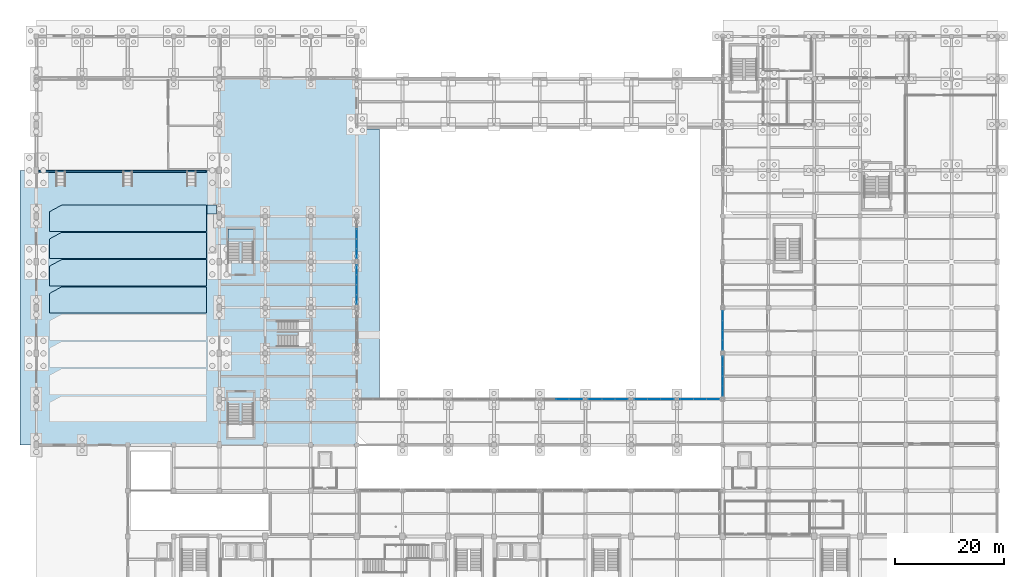
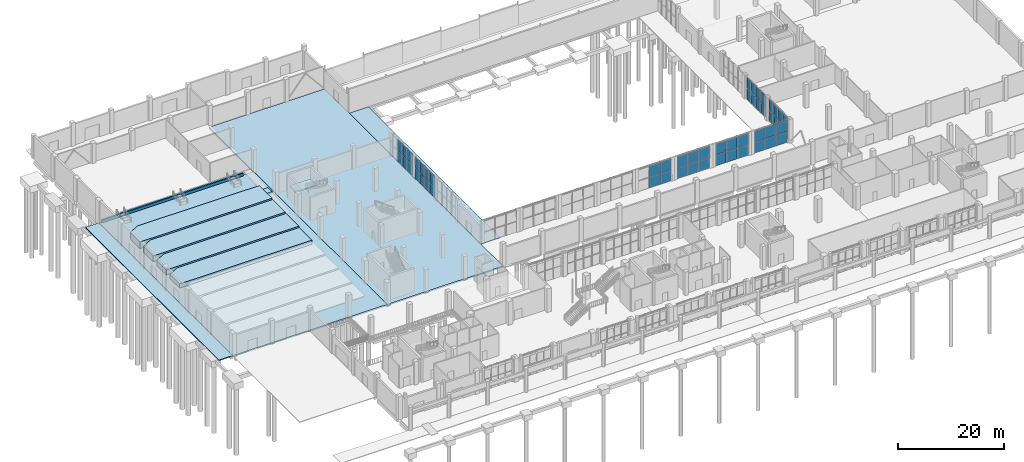
# One storey, part 57 of 82: 52 plates, 11 slabs, 10 elements without a shape of their own.
"""IFC4 building model written with IfcOpenShell, lengths in metres."""

from ifc_helpers import new_model, si_unit, derived_unit, direction, frame, origin, origin_2d, place, context, subcontext, project, spatial, polyline, rectangle, outline, extrude, material, layer, layer_set, type_object, element, aggregate, save


model = new_model("IFC4")

# Units and contexts
model_context = context("Model", 3, precision=1e-05, world=origin(), true_north=direction((0.0, 1.0)))
body_context = subcontext(model_context, "Body", "Model", "MODEL_VIEW")
ifc_project = project(units=[si_unit("LENGTHUNIT", "METRE"), si_unit("AREAUNIT", "SQUARE_METRE"), si_unit("VOLUMEUNIT", "CUBIC_METRE"), si_unit("PLANEANGLEUNIT", "RADIAN"), si_unit("MASSUNIT", "GRAM", prefix="KILO"), derived_unit("THERMALTRANSMITTANCEUNIT", [(si_unit("POWERUNIT", "WATT"), 1), (si_unit("LENGTHUNIT", "METRE"), -2), (si_unit("THERMODYNAMICTEMPERATUREUNIT", "KELVIN"), -1)])], contexts=[model_context])

# Site, building, storey
site_placement = place(None, origin())
site = spatial("IfcSite", under=ifc_project, at=site_placement, CompositionType="ELEMENT")
building_placement = place(site_placement, origin())
building = spatial("IfcBuilding", under=site, at=building_placement, Name="Barrovel Congress Hotel", CompositionType="ELEMENT")
storey_placement = place(building_placement, origin())
storey = spatial("IfcBuildingStorey", under=building, at=storey_placement, Name="L00", CompositionType="ELEMENT", Elevation=0.0)

# Curtain wall, plates
ifc_material_1 = material(Name="Anodised Aluminium Alloy 6063-T6", Category="aluminium")
curtain_wall_type_1 = type_object("IfcCurtainWallType", Name="CW-ST-7200x3600", PredefinedType="USERDEFINED", material=ifc_material_1)
curtain_wall_1_placement = place(storey_placement, origin())
curtain_wall_1 = element("IfcCurtainWall", 1, at=curtain_wall_1_placement, inside=storey, type_object=curtain_wall_type_1, Name="CW:L00:CW:63.0", ObjectType="STICK CURTAIN WALL", PredefinedType="USERDEFINED")
ifc_material_2 = material(Name="Double Low-E Insulated Glazing", Category="glass")
ifc_layer_1 = layer(ifc_material_2, 0.028076171875)
ifc_layer_set_1 = layer_set([ifc_layer_1], Name="Double Low-E Insulated Glazing")
plate_type_1 = type_object("IfcPlateType", Name="CWP-28", PredefinedType="CURTAIN_PANEL", material=ifc_layer_set_1)
plate_1_placement = place(storey_placement, frame((58.800048828125, 64.5, 0.030029296875), z_axis=(0.0, 0.0, 1.0), x_axis=(0.0, 1.0, 0.0)))
plate_1 = element("IfcPlate", 2, at=plate_1_placement, type_object=plate_type_1, Name="CW:L00:CW:63.0:P0-0", PredefinedType="CURTAIN_PANEL", context=body_context, shape_type="SweptSolid", body=[
    extrude(rectangle(XDim=1.739990234375, YDim=0.028076171875, at=origin_2d()), origin(), (0.0, 0.0, 1.0), 2.5),
])
plate_2_placement = place(storey_placement, frame((58.800048828125, 64.5, 2.590087890625), z_axis=(0.0, 0.0, 1.0), x_axis=(0.0, 1.0, 0.0)))
plate_2 = element("IfcPlate", 3, at=plate_2_placement, type_object=plate_type_1, Name="CW:L00:CW:63.0:P0-1", PredefinedType="CURTAIN_PANEL", context=body_context, shape_type="SweptSolid", body=[
    extrude(rectangle(XDim=1.739990234375, YDim=0.028076171875, at=origin_2d()), origin(), (0.0, 0.0, 1.0), 2.5),
])
plate_3_placement = place(storey_placement, frame((58.800048828125, 66.300048828125, 0.030029296875), z_axis=(0.0, 0.0, 1.0), x_axis=(0.0, 1.0, 0.0)))
plate_3 = element("IfcPlate", 4, at=plate_3_placement, type_object=plate_type_1, Name="CW:L00:CW:63.0:P1-0", PredefinedType="CURTAIN_PANEL", context=body_context, shape_type="SweptSolid", body=[
    extrude(rectangle(XDim=1.739990234375, YDim=0.028076171875, at=origin_2d()), origin(), (0.0, 0.0, 1.0), 2.5),
])
plate_4_placement = place(storey_placement, frame((58.800048828125, 66.300048828125, 2.590087890625), z_axis=(0.0, 0.0, 1.0), x_axis=(0.0, 1.0, 0.0)))
plate_4 = element("IfcPlate", 5, at=plate_4_placement, type_object=plate_type_1, Name="CW:L00:CW:63.0:P1-1", PredefinedType="CURTAIN_PANEL", context=body_context, shape_type="SweptSolid", body=[
    extrude(rectangle(XDim=1.739990234375, YDim=0.028076171875, at=origin_2d()), origin(), (0.0, 0.0, 1.0), 2.5),
])
plate_5_placement = place(storey_placement, frame((58.800048828125, 68.10009765625, 0.030029296875), z_axis=(0.0, 0.0, 1.0), x_axis=(0.0, 1.0, 0.0)))
plate_5 = element("IfcPlate", 6, at=plate_5_placement, type_object=plate_type_1, Name="CW:L00:CW:63.0:P2-0", PredefinedType="CURTAIN_PANEL", context=body_context, shape_type="SweptSolid", body=[
    extrude(rectangle(XDim=1.739990234375, YDim=0.028076171875, at=origin_2d()), origin(), (0.0, 0.0, 1.0), 2.5),
])
plate_6_placement = place(storey_placement, frame((58.800048828125, 68.10009765625, 2.590087890625), z_axis=(0.0, 0.0, 1.0), x_axis=(0.0, 1.0, 0.0)))
plate_6 = element("IfcPlate", 7, at=plate_6_placement, type_object=plate_type_1, Name="CW:L00:CW:63.0:P2-1", PredefinedType="CURTAIN_PANEL", context=body_context, shape_type="SweptSolid", body=[
    extrude(rectangle(XDim=1.739990234375, YDim=0.028076171875, at=origin_2d()), origin(), (0.0, 0.0, 1.0), 2.5),
])
plate_7_placement = place(storey_placement, frame((58.800048828125, 69.89990234375, 0.030029296875), z_axis=(0.0, 0.0, 1.0), x_axis=(0.0, 1.0, 0.0)))
plate_7 = element("IfcPlate", 8, at=plate_7_placement, type_object=plate_type_1, Name="CW:L00:CW:63.0:P3-0", PredefinedType="CURTAIN_PANEL", context=body_context, shape_type="SweptSolid", body=[
    extrude(rectangle(XDim=1.739990234375, YDim=0.028076171875, at=origin_2d()), origin(), (0.0, 0.0, 1.0), 2.5),
])
plate_8_placement = place(storey_placement, frame((58.800048828125, 69.89990234375, 2.590087890625), z_axis=(0.0, 0.0, 1.0), x_axis=(0.0, 1.0, 0.0)))
plate_8 = element("IfcPlate", 9, at=plate_8_placement, type_object=plate_type_1, Name="CW:L00:CW:63.0:P3-1", PredefinedType="CURTAIN_PANEL", context=body_context, shape_type="SweptSolid", body=[
    extrude(rectangle(XDim=1.739990234375, YDim=0.028076171875, at=origin_2d()), origin(), (0.0, 0.0, 1.0), 2.5),
])
aggregate(curtain_wall_1, [plate_1, plate_2, plate_3, plate_4, plate_5, plate_6, plate_7, plate_8])

curtain_wall_2_placement = place(storey_placement, origin())
curtain_wall_2 = element("IfcCurtainWall", 10, at=curtain_wall_2_placement, inside=storey, type_object=curtain_wall_type_1, Name="CW:L00:CE:46.2", ObjectType="STICK CURTAIN WALL", PredefinedType="USERDEFINED")
plate_9_placement = place(storey_placement, frame((126.0, 53.10009765625, 0.030029296875), z_axis=(0.0, 0.0, 1.0), x_axis=(0.0, -1.0, 0.0)))
plate_9 = element("IfcPlate", 11, at=plate_9_placement, type_object=plate_type_1, Name="CW:L00:CE:46.2:P0-0", PredefinedType="CURTAIN_PANEL", context=body_context, shape_type="SweptSolid", body=[
    extrude(rectangle(XDim=1.739990234375, YDim=0.028076171875, at=origin_2d()), origin(), (0.0, 0.0, 1.0), 2.5),
])
plate_10_placement = place(storey_placement, frame((126.0, 53.10009765625, 2.590087890625), z_axis=(0.0, 0.0, 1.0), x_axis=(0.0, -1.0, 0.0)))
plate_10 = element("IfcPlate", 12, at=plate_10_placement, type_object=plate_type_1, Name="CW:L00:CE:46.2:P0-1", PredefinedType="CURTAIN_PANEL", context=body_context, shape_type="SweptSolid", body=[
    extrude(rectangle(XDim=1.739990234375, YDim=0.028076171875, at=origin_2d()), origin(), (0.0, 0.0, 1.0), 2.5),
])
plate_11_placement = place(storey_placement, frame((126.0, 51.300048828125, 0.030029296875), z_axis=(0.0, 0.0, 1.0), x_axis=(0.0, -1.0, 0.0)))
plate_11 = element("IfcPlate", 13, at=plate_11_placement, type_object=plate_type_1, Name="CW:L00:CE:46.2:P1-0", PredefinedType="CURTAIN_PANEL", context=body_context, shape_type="SweptSolid", body=[
    extrude(rectangle(XDim=1.739990234375, YDim=0.028076171875, at=origin_2d()), origin(), (0.0, 0.0, 1.0), 2.5),
])
plate_12_placement = place(storey_placement, frame((126.0, 51.300048828125, 2.590087890625), z_axis=(0.0, 0.0, 1.0), x_axis=(0.0, -1.0, 0.0)))
plate_12 = element("IfcPlate", 14, at=plate_12_placement, type_object=plate_type_1, Name="CW:L00:CE:46.2:P1-1", PredefinedType="CURTAIN_PANEL", context=body_context, shape_type="SweptSolid", body=[
    extrude(rectangle(XDim=1.739990234375, YDim=0.028076171875, at=origin_2d()), origin(), (0.0, 0.0, 1.0), 2.5),
])
plate_13_placement = place(storey_placement, frame((126.0, 49.5, 0.030029296875), z_axis=(0.0, 0.0, 1.0), x_axis=(0.0, -1.0, 0.0)))
plate_13 = element("IfcPlate", 15, at=plate_13_placement, type_object=plate_type_1, Name="CW:L00:CE:46.2:P2-0", PredefinedType="CURTAIN_PANEL", context=body_context, shape_type="SweptSolid", body=[
    extrude(rectangle(XDim=1.739990234375, YDim=0.028076171875, at=origin_2d()), origin(), (0.0, 0.0, 1.0), 2.5),
])
plate_14_placement = place(storey_placement, frame((126.0, 49.5, 2.590087890625), z_axis=(0.0, 0.0, 1.0), x_axis=(0.0, -1.0, 0.0)))
plate_14 = element("IfcPlate", 16, at=plate_14_placement, type_object=plate_type_1, Name="CW:L00:CE:46.2:P2-1", PredefinedType="CURTAIN_PANEL", context=body_context, shape_type="SweptSolid", body=[
    extrude(rectangle(XDim=1.739990234375, YDim=0.028076171875, at=origin_2d()), origin(), (0.0, 0.0, 1.0), 2.5),
])
plate_15_placement = place(storey_placement, frame((126.0, 47.699951171875, 0.030029296875), z_axis=(0.0, 0.0, 1.0), x_axis=(0.0, -1.0, 0.0)))
plate_15 = element("IfcPlate", 17, at=plate_15_placement, type_object=plate_type_1, Name="CW:L00:CE:46.2:P3-0", PredefinedType="CURTAIN_PANEL", context=body_context, shape_type="SweptSolid", body=[
    extrude(rectangle(XDim=1.739990234375, YDim=0.028076171875, at=origin_2d()), origin(), (0.0, 0.0, 1.0), 2.5),
])
plate_16_placement = place(storey_placement, frame((126.0, 47.699951171875, 2.590087890625), z_axis=(0.0, 0.0, 1.0), x_axis=(0.0, -1.0, 0.0)))
plate_16 = element("IfcPlate", 18, at=plate_16_placement, type_object=plate_type_1, Name="CW:L00:CE:46.2:P3-1", PredefinedType="CURTAIN_PANEL", context=body_context, shape_type="SweptSolid", body=[
    extrude(rectangle(XDim=1.739990234375, YDim=0.028076171875, at=origin_2d()), origin(), (0.0, 0.0, 1.0), 2.5),
])
aggregate(curtain_wall_2, [plate_9, plate_10, plate_11, plate_12, plate_13, plate_14, plate_15, plate_16])

curtain_wall_type_2 = type_object("IfcCurtainWallType", Name="CW-ST-6400x4200", PredefinedType="USERDEFINED", material=ifc_material_1)
curtain_wall_3_placement = place(storey_placement, origin())
curtain_wall_3 = element("IfcCurtainWall", 19, at=curtain_wall_3_placement, inside=storey, type_object=curtain_wall_type_2, Name="CW:L00:CL:11", ObjectType="STICK CURTAIN WALL", PredefinedType="USERDEFINED")
plate_17_placement = place(storey_placement, frame((99.0, 46.199951171875, 0.030029296875), z_axis=(0.0, 0.0, 1.0), x_axis=(-1.0, 0.0, 0.0)))
plate_17 = element("IfcPlate", 20, at=plate_17_placement, type_object=plate_type_1, Name="CW:L00:CL:11:P0-0", PredefinedType="CURTAIN_PANEL", context=body_context, shape_type="SweptSolid", body=[
    extrude(rectangle(XDim=2.340087890625, YDim=0.028076171875, at=origin_2d()), origin(), (0.0, 0.0, 1.0), 2.5),
])
plate_18_placement = place(storey_placement, frame((99.0, 46.199951171875, 2.590087890625), z_axis=(0.0, 0.0, 1.0), x_axis=(-1.0, 0.0, 0.0)))
plate_18 = element("IfcPlate", 21, at=plate_18_placement, type_object=plate_type_1, Name="CW:L00:CL:11:P0-1", PredefinedType="CURTAIN_PANEL", context=body_context, shape_type="SweptSolid", body=[
    extrude(rectangle(XDim=2.340087890625, YDim=0.028076171875, at=origin_2d()), origin(), (0.0, 0.0, 1.0), 2.5),
])
plate_19_placement = place(storey_placement, frame((96.60009765625, 46.199951171875, 0.030029296875), z_axis=(0.0, 0.0, 1.0), x_axis=(-1.0, 0.0, 0.0)))
plate_19 = element("IfcPlate", 22, at=plate_19_placement, type_object=plate_type_1, Name="CW:L00:CL:11:P1-0", PredefinedType="CURTAIN_PANEL", context=body_context, shape_type="SweptSolid", body=[
    extrude(rectangle(XDim=2.340087890625, YDim=0.028076171875, at=origin_2d()), origin(), (0.0, 0.0, 1.0), 2.5),
])
plate_20_placement = place(storey_placement, frame((96.60009765625, 46.199951171875, 2.590087890625), z_axis=(0.0, 0.0, 1.0), x_axis=(-1.0, 0.0, 0.0)))
plate_20 = element("IfcPlate", 23, at=plate_20_placement, type_object=plate_type_1, Name="CW:L00:CL:11:P1-1", PredefinedType="CURTAIN_PANEL", context=body_context, shape_type="SweptSolid", body=[
    extrude(rectangle(XDim=2.340087890625, YDim=0.028076171875, at=origin_2d()), origin(), (0.0, 0.0, 1.0), 2.5),
])
aggregate(curtain_wall_3, [plate_17, plate_18, plate_19, plate_20])

curtain_wall_4_placement = place(storey_placement, origin())
curtain_wall_4 = element("IfcCurtainWall", 24, at=curtain_wall_4_placement, inside=storey, type_object=curtain_wall_type_2, Name="CW:L00:CL:13", ObjectType="STICK CURTAIN WALL", PredefinedType="USERDEFINED")
plate_21_placement = place(storey_placement, frame((115.800048828125, 46.199951171875, 0.030029296875), z_axis=(0.0, 0.0, 1.0), x_axis=(-1.0, 0.0, 0.0)))
plate_21 = element("IfcPlate", 25, at=plate_21_placement, type_object=plate_type_1, Name="CW:L00:CL:13:P0-0", PredefinedType="CURTAIN_PANEL", context=body_context, shape_type="SweptSolid", body=[
    extrude(rectangle(XDim=2.340087890625, YDim=0.028076171875, at=origin_2d()), origin(), (0.0, 0.0, 1.0), 2.5),
])
plate_22_placement = place(storey_placement, frame((115.800048828125, 46.199951171875, 2.590087890625), z_axis=(0.0, 0.0, 1.0), x_axis=(-1.0, 0.0, 0.0)))
plate_22 = element("IfcPlate", 26, at=plate_22_placement, type_object=plate_type_1, Name="CW:L00:CL:13:P0-1", PredefinedType="CURTAIN_PANEL", context=body_context, shape_type="SweptSolid", body=[
    extrude(rectangle(XDim=2.340087890625, YDim=0.028076171875, at=origin_2d()), origin(), (0.0, 0.0, 1.0), 2.5),
])
plate_23_placement = place(storey_placement, frame((113.39990234375, 46.199951171875, 0.030029296875), z_axis=(0.0, 0.0, 1.0), x_axis=(-1.0, 0.0, 0.0)))
plate_23 = element("IfcPlate", 27, at=plate_23_placement, type_object=plate_type_1, Name="CW:L00:CL:13:P1-0", PredefinedType="CURTAIN_PANEL", context=body_context, shape_type="SweptSolid", body=[
    extrude(rectangle(XDim=2.340087890625, YDim=0.028076171875, at=origin_2d()), origin(), (0.0, 0.0, 1.0), 2.5),
])
plate_24_placement = place(storey_placement, frame((113.39990234375, 46.199951171875, 2.590087890625), z_axis=(0.0, 0.0, 1.0), x_axis=(-1.0, 0.0, 0.0)))
plate_24 = element("IfcPlate", 28, at=plate_24_placement, type_object=plate_type_1, Name="CW:L00:CL:13:P1-1", PredefinedType="CURTAIN_PANEL", context=body_context, shape_type="SweptSolid", body=[
    extrude(rectangle(XDim=2.340087890625, YDim=0.028076171875, at=origin_2d()), origin(), (0.0, 0.0, 1.0), 2.5),
])
plate_25_placement = place(storey_placement, frame((111.0, 46.199951171875, 0.030029296875), z_axis=(0.0, 0.0, 1.0), x_axis=(-1.0, 0.0, 0.0)))
plate_25 = element("IfcPlate", 29, at=plate_25_placement, type_object=plate_type_1, Name="CW:L00:CL:13:P2-0", PredefinedType="CURTAIN_PANEL", context=body_context, shape_type="SweptSolid", body=[
    extrude(rectangle(XDim=2.340087890625, YDim=0.028076171875, at=origin_2d()), origin(), (0.0, 0.0, 1.0), 2.5),
])
plate_26_placement = place(storey_placement, frame((111.0, 46.199951171875, 2.590087890625), z_axis=(0.0, 0.0, 1.0), x_axis=(-1.0, 0.0, 0.0)))
plate_26 = element("IfcPlate", 30, at=plate_26_placement, type_object=plate_type_1, Name="CW:L00:CL:13:P2-1", PredefinedType="CURTAIN_PANEL", context=body_context, shape_type="SweptSolid", body=[
    extrude(rectangle(XDim=2.340087890625, YDim=0.028076171875, at=origin_2d()), origin(), (0.0, 0.0, 1.0), 2.5),
])
aggregate(curtain_wall_4, [plate_21, plate_22, plate_23, plate_24, plate_25, plate_26])

curtain_wall_5_placement = place(storey_placement, origin())
curtain_wall_5 = element("IfcCurtainWall", 31, at=curtain_wall_5_placement, inside=storey, type_object=curtain_wall_type_1, Name="CW:L00:CW:71.4", ObjectType="STICK CURTAIN WALL", PredefinedType="USERDEFINED")
ifc_layer_2 = layer(ifc_material_2, 0.031982421875)
ifc_layer_set_2 = layer_set([ifc_layer_2], Name="Double Low-E Insulated Glazing")
plate_type_2 = type_object("IfcPlateType", Name="CWP-32", PredefinedType="CURTAIN_PANEL", material=ifc_layer_set_2)
plate_27_placement = place(storey_placement, frame((58.800048828125, 72.89990234375, 0.030029296875), z_axis=(0.0, 0.0, 1.0), x_axis=(0.0, 1.0, 0.0)))
plate_27 = element("IfcPlate", 32, at=plate_27_placement, type_object=plate_type_2, Name="CW:L00:CW:71.4:P0-0", PredefinedType="CURTAIN_PANEL", context=body_context, shape_type="SweptSolid", body=[
    extrude(rectangle(XDim=1.739990234375, YDim=0.031982421875, at=origin_2d()), origin(), (0.0, 0.0, 1.0), 2.5),
])
plate_28_placement = place(storey_placement, frame((58.800048828125, 72.89990234375, 2.590087890625), z_axis=(0.0, 0.0, 1.0), x_axis=(0.0, 1.0, 0.0)))
plate_28 = element("IfcPlate", 33, at=plate_28_placement, type_object=plate_type_2, Name="CW:L00:CW:71.4:P0-1", PredefinedType="CURTAIN_PANEL", context=body_context, shape_type="SweptSolid", body=[
    extrude(rectangle(XDim=1.739990234375, YDim=0.031982421875, at=origin_2d()), origin(), (0.0, 0.0, 1.0), 2.5),
])
plate_29_placement = place(storey_placement, frame((58.800048828125, 74.699951171875, 0.030029296875), z_axis=(0.0, 0.0, 1.0), x_axis=(0.0, 1.0, 0.0)))
plate_29 = element("IfcPlate", 34, at=plate_29_placement, type_object=plate_type_2, Name="CW:L00:CW:71.4:P1-0", PredefinedType="CURTAIN_PANEL", context=body_context, shape_type="SweptSolid", body=[
    extrude(rectangle(XDim=1.739990234375, YDim=0.031982421875, at=origin_2d()), origin(), (0.0, 0.0, 1.0), 2.5),
])
plate_30_placement = place(storey_placement, frame((58.800048828125, 74.699951171875, 2.590087890625), z_axis=(0.0, 0.0, 1.0), x_axis=(0.0, 1.0, 0.0)))
plate_30 = element("IfcPlate", 35, at=plate_30_placement, type_object=plate_type_2, Name="CW:L00:CW:71.4:P1-1", PredefinedType="CURTAIN_PANEL", context=body_context, shape_type="SweptSolid", body=[
    extrude(rectangle(XDim=1.739990234375, YDim=0.031982421875, at=origin_2d()), origin(), (0.0, 0.0, 1.0), 2.5),
])
plate_31_placement = place(storey_placement, frame((58.800048828125, 76.5, 0.030029296875), z_axis=(0.0, 0.0, 1.0), x_axis=(0.0, 1.0, 0.0)))
plate_31 = element("IfcPlate", 36, at=plate_31_placement, type_object=plate_type_2, Name="CW:L00:CW:71.4:P2-0", PredefinedType="CURTAIN_PANEL", context=body_context, shape_type="SweptSolid", body=[
    extrude(rectangle(XDim=1.739990234375, YDim=0.031982421875, at=origin_2d()), origin(), (0.0, 0.0, 1.0), 2.5),
])
plate_32_placement = place(storey_placement, frame((58.800048828125, 76.5, 2.590087890625), z_axis=(0.0, 0.0, 1.0), x_axis=(0.0, 1.0, 0.0)))
plate_32 = element("IfcPlate", 37, at=plate_32_placement, type_object=plate_type_2, Name="CW:L00:CW:71.4:P2-1", PredefinedType="CURTAIN_PANEL", context=body_context, shape_type="SweptSolid", body=[
    extrude(rectangle(XDim=1.739990234375, YDim=0.031982421875, at=origin_2d()), origin(), (0.0, 0.0, 1.0), 2.5),
])
aggregate(curtain_wall_5, [plate_27, plate_28, plate_29, plate_30, plate_31, plate_32])

curtain_wall_6_placement = place(storey_placement, origin())
curtain_wall_6 = element("IfcCurtainWall", 38, at=curtain_wall_6_placement, inside=storey, type_object=curtain_wall_type_1, Name="CW:L00:CE:54.6", ObjectType="STICK CURTAIN WALL", PredefinedType="USERDEFINED")
plate_33_placement = place(storey_placement, frame((126.0, 61.5, 0.030029296875), z_axis=(0.0, 0.0, 1.0), x_axis=(0.0, -1.0, 0.0)))
plate_33 = element("IfcPlate", 39, at=plate_33_placement, type_object=plate_type_2, Name="CW:L00:CE:54.6:P0-0", PredefinedType="CURTAIN_PANEL", context=body_context, shape_type="SweptSolid", body=[
    extrude(rectangle(XDim=1.739990234375, YDim=0.031982421875, at=origin_2d()), origin(), (0.0, 0.0, 1.0), 2.5),
])
plate_34_placement = place(storey_placement, frame((126.0, 61.5, 2.590087890625), z_axis=(0.0, 0.0, 1.0), x_axis=(0.0, -1.0, 0.0)))
plate_34 = element("IfcPlate", 40, at=plate_34_placement, type_object=plate_type_2, Name="CW:L00:CE:54.6:P0-1", PredefinedType="CURTAIN_PANEL", context=body_context, shape_type="SweptSolid", body=[
    extrude(rectangle(XDim=1.739990234375, YDim=0.031982421875, at=origin_2d()), origin(), (0.0, 0.0, 1.0), 2.5),
])
plate_35_placement = place(storey_placement, frame((126.0, 59.699951171875, 0.030029296875), z_axis=(0.0, 0.0, 1.0), x_axis=(0.0, -1.0, 0.0)))
plate_35 = element("IfcPlate", 41, at=plate_35_placement, type_object=plate_type_2, Name="CW:L00:CE:54.6:P1-0", PredefinedType="CURTAIN_PANEL", context=body_context, shape_type="SweptSolid", body=[
    extrude(rectangle(XDim=1.739990234375, YDim=0.031982421875, at=origin_2d()), origin(), (0.0, 0.0, 1.0), 2.5),
])
plate_36_placement = place(storey_placement, frame((126.0, 59.699951171875, 2.590087890625), z_axis=(0.0, 0.0, 1.0), x_axis=(0.0, -1.0, 0.0)))
plate_36 = element("IfcPlate", 42, at=plate_36_placement, type_object=plate_type_2, Name="CW:L00:CE:54.6:P1-1", PredefinedType="CURTAIN_PANEL", context=body_context, shape_type="SweptSolid", body=[
    extrude(rectangle(XDim=1.739990234375, YDim=0.031982421875, at=origin_2d()), origin(), (0.0, 0.0, 1.0), 2.5),
])
plate_37_placement = place(storey_placement, frame((126.0, 57.89990234375, 0.030029296875), z_axis=(0.0, 0.0, 1.0), x_axis=(0.0, -1.0, 0.0)))
plate_37 = element("IfcPlate", 43, at=plate_37_placement, type_object=plate_type_2, Name="CW:L00:CE:54.6:P2-0", PredefinedType="CURTAIN_PANEL", context=body_context, shape_type="SweptSolid", body=[
    extrude(rectangle(XDim=1.739990234375, YDim=0.031982421875, at=origin_2d()), origin(), (0.0, 0.0, 1.0), 2.5),
])
plate_38_placement = place(storey_placement, frame((126.0, 57.89990234375, 2.590087890625), z_axis=(0.0, 0.0, 1.0), x_axis=(0.0, -1.0, 0.0)))
plate_38 = element("IfcPlate", 44, at=plate_38_placement, type_object=plate_type_2, Name="CW:L00:CE:54.6:P2-1", PredefinedType="CURTAIN_PANEL", context=body_context, shape_type="SweptSolid", body=[
    extrude(rectangle(XDim=1.739990234375, YDim=0.031982421875, at=origin_2d()), origin(), (0.0, 0.0, 1.0), 2.5),
])
plate_39_placement = place(storey_placement, frame((126.0, 56.10009765625, 0.030029296875), z_axis=(0.0, 0.0, 1.0), x_axis=(0.0, -1.0, 0.0)))
plate_39 = element("IfcPlate", 45, at=plate_39_placement, type_object=plate_type_2, Name="CW:L00:CE:54.6:P3-0", PredefinedType="CURTAIN_PANEL", context=body_context, shape_type="SweptSolid", body=[
    extrude(rectangle(XDim=1.739990234375, YDim=0.031982421875, at=origin_2d()), origin(), (0.0, 0.0, 1.0), 2.5),
])
plate_40_placement = place(storey_placement, frame((126.0, 56.10009765625, 2.590087890625), z_axis=(0.0, 0.0, 1.0), x_axis=(0.0, -1.0, 0.0)))
plate_40 = element("IfcPlate", 46, at=plate_40_placement, type_object=plate_type_2, Name="CW:L00:CE:54.6:P3-1", PredefinedType="CURTAIN_PANEL", context=body_context, shape_type="SweptSolid", body=[
    extrude(rectangle(XDim=1.739990234375, YDim=0.031982421875, at=origin_2d()), origin(), (0.0, 0.0, 1.0), 2.5),
])
aggregate(curtain_wall_6, [plate_33, plate_34, plate_35, plate_36, plate_37, plate_38, plate_39, plate_40])

curtain_wall_7_placement = place(storey_placement, origin())
curtain_wall_7 = element("IfcCurtainWall", 47, at=curtain_wall_7_placement, inside=storey, type_object=curtain_wall_type_2, Name="CW:L00:CL:12", ObjectType="STICK CURTAIN WALL", PredefinedType="USERDEFINED")
plate_41_placement = place(storey_placement, frame((107.39990234375, 46.199951171875, 0.030029296875), z_axis=(0.0, 0.0, 1.0), x_axis=(-1.0, 0.0, 0.0)))
plate_41 = element("IfcPlate", 48, at=plate_41_placement, type_object=plate_type_2, Name="CW:L00:CL:12:P0-0", PredefinedType="CURTAIN_PANEL", context=body_context, shape_type="SweptSolid", body=[
    extrude(rectangle(XDim=2.340087890625, YDim=0.031982421875, at=origin_2d()), origin(), (0.0, 0.0, 1.0), 2.5),
])
plate_42_placement = place(storey_placement, frame((107.39990234375, 46.199951171875, 2.590087890625), z_axis=(0.0, 0.0, 1.0), x_axis=(-1.0, 0.0, 0.0)))
plate_42 = element("IfcPlate", 49, at=plate_42_placement, type_object=plate_type_2, Name="CW:L00:CL:12:P0-1", PredefinedType="CURTAIN_PANEL", context=body_context, shape_type="SweptSolid", body=[
    extrude(rectangle(XDim=2.340087890625, YDim=0.031982421875, at=origin_2d()), origin(), (0.0, 0.0, 1.0), 2.5),
])
plate_43_placement = place(storey_placement, frame((105.0, 46.199951171875, 0.030029296875), z_axis=(0.0, 0.0, 1.0), x_axis=(-1.0, 0.0, 0.0)))
plate_43 = element("IfcPlate", 50, at=plate_43_placement, type_object=plate_type_2, Name="CW:L00:CL:12:P1-0", PredefinedType="CURTAIN_PANEL", context=body_context, shape_type="SweptSolid", body=[
    extrude(rectangle(XDim=2.340087890625, YDim=0.031982421875, at=origin_2d()), origin(), (0.0, 0.0, 1.0), 2.5),
])
plate_44_placement = place(storey_placement, frame((105.0, 46.199951171875, 2.590087890625), z_axis=(0.0, 0.0, 1.0), x_axis=(-1.0, 0.0, 0.0)))
plate_44 = element("IfcPlate", 51, at=plate_44_placement, type_object=plate_type_2, Name="CW:L00:CL:12:P1-1", PredefinedType="CURTAIN_PANEL", context=body_context, shape_type="SweptSolid", body=[
    extrude(rectangle(XDim=2.340087890625, YDim=0.031982421875, at=origin_2d()), origin(), (0.0, 0.0, 1.0), 2.5),
])
plate_45_placement = place(storey_placement, frame((102.60009765625, 46.199951171875, 0.030029296875), z_axis=(0.0, 0.0, 1.0), x_axis=(-1.0, 0.0, 0.0)))
plate_45 = element("IfcPlate", 52, at=plate_45_placement, type_object=plate_type_2, Name="CW:L00:CL:12:P2-0", PredefinedType="CURTAIN_PANEL", context=body_context, shape_type="SweptSolid", body=[
    extrude(rectangle(XDim=2.340087890625, YDim=0.031982421875, at=origin_2d()), origin(), (0.0, 0.0, 1.0), 2.5),
])
plate_46_placement = place(storey_placement, frame((102.60009765625, 46.199951171875, 2.590087890625), z_axis=(0.0, 0.0, 1.0), x_axis=(-1.0, 0.0, 0.0)))
plate_46 = element("IfcPlate", 53, at=plate_46_placement, type_object=plate_type_2, Name="CW:L00:CL:12:P2-1", PredefinedType="CURTAIN_PANEL", context=body_context, shape_type="SweptSolid", body=[
    extrude(rectangle(XDim=2.340087890625, YDim=0.031982421875, at=origin_2d()), origin(), (0.0, 0.0, 1.0), 2.5),
])
aggregate(curtain_wall_7, [plate_41, plate_42, plate_43, plate_44, plate_45, plate_46])

curtain_wall_8_placement = place(storey_placement, origin())
curtain_wall_8 = element("IfcCurtainWall", 54, at=curtain_wall_8_placement, inside=storey, type_object=curtain_wall_type_2, Name="CW:L00:CL:14", ObjectType="STICK CURTAIN WALL", PredefinedType="USERDEFINED")
plate_47_placement = place(storey_placement, frame((124.199951171875, 46.199951171875, 0.030029296875), z_axis=(0.0, 0.0, 1.0), x_axis=(-1.0, 0.0, 0.0)))
plate_47 = element("IfcPlate", 55, at=plate_47_placement, type_object=plate_type_2, Name="CW:L00:CL:14:P0-0", PredefinedType="CURTAIN_PANEL", context=body_context, shape_type="SweptSolid", body=[
    extrude(rectangle(XDim=2.340087890625, YDim=0.031982421875, at=origin_2d()), origin(), (0.0, 0.0, 1.0), 2.5),
])
plate_48_placement = place(storey_placement, frame((124.199951171875, 46.199951171875, 2.590087890625), z_axis=(0.0, 0.0, 1.0), x_axis=(-1.0, 0.0, 0.0)))
plate_48 = element("IfcPlate", 56, at=plate_48_placement, type_object=plate_type_2, Name="CW:L00:CL:14:P0-1", PredefinedType="CURTAIN_PANEL", context=body_context, shape_type="SweptSolid", body=[
    extrude(rectangle(XDim=2.340087890625, YDim=0.031982421875, at=origin_2d()), origin(), (0.0, 0.0, 1.0), 2.5),
])
plate_49_placement = place(storey_placement, frame((121.800048828125, 46.199951171875, 0.030029296875), z_axis=(0.0, 0.0, 1.0), x_axis=(-1.0, 0.0, 0.0)))
plate_49 = element("IfcPlate", 57, at=plate_49_placement, type_object=plate_type_2, Name="CW:L00:CL:14:P1-0", PredefinedType="CURTAIN_PANEL", context=body_context, shape_type="SweptSolid", body=[
    extrude(rectangle(XDim=2.340087890625, YDim=0.031982421875, at=origin_2d()), origin(), (0.0, 0.0, 1.0), 2.5),
])
plate_50_placement = place(storey_placement, frame((121.800048828125, 46.199951171875, 2.590087890625), z_axis=(0.0, 0.0, 1.0), x_axis=(-1.0, 0.0, 0.0)))
plate_50 = element("IfcPlate", 58, at=plate_50_placement, type_object=plate_type_2, Name="CW:L00:CL:14:P1-1", PredefinedType="CURTAIN_PANEL", context=body_context, shape_type="SweptSolid", body=[
    extrude(rectangle(XDim=2.340087890625, YDim=0.031982421875, at=origin_2d()), origin(), (0.0, 0.0, 1.0), 2.5),
])
plate_51_placement = place(storey_placement, frame((119.39990234375, 46.199951171875, 0.030029296875), z_axis=(0.0, 0.0, 1.0), x_axis=(-1.0, 0.0, 0.0)))
plate_51 = element("IfcPlate", 59, at=plate_51_placement, type_object=plate_type_2, Name="CW:L00:CL:14:P2-0", PredefinedType="CURTAIN_PANEL", context=body_context, shape_type="SweptSolid", body=[
    extrude(rectangle(XDim=2.340087890625, YDim=0.031982421875, at=origin_2d()), origin(), (0.0, 0.0, 1.0), 2.5),
])
plate_52_placement = place(storey_placement, frame((119.39990234375, 46.199951171875, 2.590087890625), z_axis=(0.0, 0.0, 1.0), x_axis=(-1.0, 0.0, 0.0)))
plate_52 = element("IfcPlate", 60, at=plate_52_placement, type_object=plate_type_2, Name="CW:L00:CL:14:P2-1", PredefinedType="CURTAIN_PANEL", context=body_context, shape_type="SweptSolid", body=[
    extrude(rectangle(XDim=2.340087890625, YDim=0.031982421875, at=origin_2d()), origin(), (0.0, 0.0, 1.0), 2.5),
])
aggregate(curtain_wall_8, [plate_47, plate_48, plate_49, plate_50, plate_51, plate_52])

# Slabs
ifc_material_3 = material(Name="Concrete C35", Category="concrete")
ifc_layer_3 = layer(ifc_material_3, 0.320068359375)
ifc_layer_set_3 = layer_set([ifc_layer_3], Name="Concrete C35")
slab_type_1 = type_object("IfcSlabType", Name="SL-B320", PredefinedType="BASESLAB", material=ifc_layer_set_3)
slab_1_placement = place(storey_placement, frame((0.0, 0.0, -0.320068359375)))
element("IfcSlab", 61, at=slab_1_placement, inside=storey, type_object=slab_type_1, Name="SLAB:L00:V1-NAVE", PredefinedType="BASESLAB", context=body_context, shape_type="SweptSolid", body=[
    extrude(outline(polyline([(0.0, 37.800048828125), (33.60009765625, 37.800048828125), (33.60009765625, 88.199951171875), (0.0, 88.199951171875), (0.0, 37.800048828125)])), origin(), (0.0, 0.0, 1.0), 0.320068359375),
])
slab_2_placement = place(storey_placement, frame((0.0, 0.0, -0.320068359375)))
element("IfcSlab", 62, at=slab_2_placement, inside=storey, type_object=slab_type_1, Name="SLAB:L00:V1-FOYER", PredefinedType="BASESLAB", context=body_context, shape_type="SweptSolid", body=[
    extrude(outline(polyline([(33.60009765625, 37.800048828125), (58.800048828125, 37.800048828125), (58.800048828125, 105.0), (33.60009765625, 105.0), (33.60009765625, 37.800048828125)])), origin(), (0.0, 0.0, 1.0), 0.320068359375),
])
ifc_layer_4 = layer(ifc_material_3, 0.179931640625)
ifc_layer_set_4 = layer_set([ifc_layer_4], Name="Concrete C35")
slab_type_2 = type_object("IfcSlabType", Name="SL-F180", PredefinedType="FLOOR", material=ifc_layer_set_4)
slab_3_placement = place(storey_placement, origin())
element("IfcSlab", 63, at=slab_3_placement, inside=storey, type_object=slab_type_2, Name="Congress Stage Apron Step", PredefinedType="FLOOR", context=body_context, shape_type="SweptSolid", body=[
    extrude(outline(polyline([(0.39990234375, 87.8798828125), (31.199951171875, 87.8798828125), (31.199951171875, 88.199951171875), (0.39990234375, 88.199951171875), (0.39990234375, 87.8798828125)])), origin(), (0.0, 0.0, 1.0), 0.64990234375),
])
slab_4_placement = place(storey_placement, frame((0.0, 0.0, -0.179931640625)))
element("IfcSlab", 64, at=slab_4_placement, inside=storey, type_object=slab_type_2, Name="Exterior Stone Paving PAV-WEST-NAVE", PredefinedType="FLOOR", context=body_context, shape_type="SweptSolid", body=[
    extrude(outline(polyline([(-3.0, 37.800048828125), (0.0, 37.800048828125), (0.0, 88.199951171875), (-3.0, 88.199951171875), (-3.0, 37.800048828125)])), origin(), (0.0, 0.0, 1.0), 0.179931640625),
])
slab_5_placement = place(storey_placement, frame((0.0, 0.0, -0.179931640625)))
element("IfcSlab", 65, at=slab_5_placement, inside=storey, type_object=slab_type_2, Name="Exterior Stone Paving PAV-COURT-WALK-W", PredefinedType="FLOOR", context=body_context, shape_type="SweptSolid", body=[
    extrude(outline(polyline([(58.800048828125, 46.199951171875), (63.0, 46.199951171875), (63.0, 95.800048828125), (58.800048828125, 95.800048828125), (58.800048828125, 46.199951171875)])), origin(), (0.0, 0.0, 1.0), 0.179931640625),
])

# Ramp, slab
ramp_type = type_object("IfcRampType", Name="RAMP-ACC", PredefinedType="STRAIGHT_RUN_RAMP", material=ifc_material_3)
ramp_placement = place(storey_placement, origin())
ramp = element("IfcRamp", 66, at=ramp_placement, inside=storey, type_object=ramp_type, Name="Congress Stage Accessible Ramp", PredefinedType="STRAIGHT_RUN_RAMP")
slab_6_placement = place(storey_placement, frame((0.0, 0.0, 0.219970703125)))
slab_6 = element("IfcSlab", 67, at=slab_6_placement, type_object=slab_type_2, Name="Congress Stage Accessible Ramp intermediate landing", PredefinedType="LANDING", context=body_context, shape_type="SweptSolid", body=[
    extrude(outline(polyline([(31.35009765625, 80.199951171875), (33.050048828125, 80.199951171875), (33.050048828125, 81.800048828125), (31.35009765625, 81.800048828125), (31.35009765625, 80.199951171875)])), origin(), (0.0, 0.0, 1.0), 0.179931640625),
])
aggregate(ramp, [slab_6])

# Slabs
ifc_layer_5 = layer(ifc_material_3, 0.239990234375)
ifc_layer_set_5 = layer_set([ifc_layer_5], Name="Concrete C35")
slab_type_3 = type_object("IfcSlabType", Name="SL-F240", PredefinedType="FLOOR", material=ifc_layer_set_5)
slab_7_placement = place(storey_placement, origin())
element("IfcSlab", 68, at=slab_7_placement, inside=storey, type_object=slab_type_3, Name="Congress Hall Plenary Seating Tier 5", PredefinedType="FLOOR", context=body_context, shape_type="SweptSolid", body=[
    extrude(outline(polyline([(2.39990234375, 62.0), (31.199951171875, 62.0), (31.199951171875, 66.800048828125), (29.0, 66.800048828125), (4.60009765625, 66.800048828125), (2.39990234375, 65.60009765625), (2.39990234375, 62.0)])), origin(), (0.0, 0.0, 1.0), 0.9599609375),
])
slab_8_placement = place(storey_placement, origin())
element("IfcSlab", 69, at=slab_8_placement, inside=storey, type_object=slab_type_3, Name="Congress Hall Plenary Seating Tier 6", PredefinedType="FLOOR", context=body_context, shape_type="SweptSolid", body=[
    extrude(outline(polyline([(2.39990234375, 67.0), (31.199951171875, 67.0), (31.199951171875, 71.800048828125), (29.0, 71.800048828125), (4.60009765625, 71.800048828125), (2.39990234375, 70.60009765625), (2.39990234375, 67.0)])), origin(), (0.0, 0.0, 1.0), 1.139892578125),
])
slab_9_placement = place(storey_placement, origin())
element("IfcSlab", 70, at=slab_9_placement, inside=storey, type_object=slab_type_3, Name="Congress Hall Plenary Seating Tier 7", PredefinedType="FLOOR", context=body_context, shape_type="SweptSolid", body=[
    extrude(outline(polyline([(2.39990234375, 72.0), (31.199951171875, 72.0), (31.199951171875, 76.800048828125), (29.0, 76.800048828125), (4.60009765625, 76.800048828125), (2.39990234375, 75.60009765625), (2.39990234375, 72.0)])), origin(), (0.0, 0.0, 1.0), 1.320068359375),
])
slab_10_placement = place(storey_placement, origin())
element("IfcSlab", 71, at=slab_10_placement, inside=storey, type_object=slab_type_3, Name="Congress Hall Plenary Seating Tier 8", PredefinedType="FLOOR", context=body_context, shape_type="SweptSolid", body=[
    extrude(outline(polyline([(2.39990234375, 77.0), (31.199951171875, 77.0), (31.199951171875, 81.800048828125), (29.0, 81.800048828125), (4.60009765625, 81.800048828125), (2.39990234375, 80.60009765625), (2.39990234375, 77.0)])), origin(), (0.0, 0.0, 1.0), 1.5),
])

# Stair, slab
ifc_material_4 = material(Name="Concrete C40", Category="concrete")
stair_type = type_object("IfcStairType", Name="STR-2Q-540", PredefinedType="TWO_QUARTER_TURN_STAIR", material=ifc_material_4)
stair_placement = place(storey_placement, origin())
stair = element("IfcStair", 72, at=stair_placement, inside=storey, type_object=stair_type, Name="Exit Stair XS-07 (L00)", PredefinedType="TWO_QUARTER_TURN_STAIR")
ifc_layer_6 = layer(ifc_material_4, 0.18994140625)
ifc_layer_set_6 = layer_set([ifc_layer_6], Name="Concrete C40")
slab_type_4 = type_object("IfcSlabType", Name="SL-LDG-190", PredefinedType="LANDING", material=ifc_layer_set_6)
slab_11_placement = place(storey_placement, frame((0.0, 0.0, 2.510009765625)))
slab_11 = element("IfcSlab", 73, at=slab_11_placement, type_object=slab_type_4, Name="STAIR:XS-07:L00:LDG", PredefinedType="LANDING", context=body_context, shape_type="SweptSolid", body=[
    extrude(outline(polyline([(35.179931640625, 75.070068359375), (39.820068359375, 75.070068359375), (39.820068359375, 77.4599609375), (35.179931640625, 77.4599609375), (35.179931640625, 75.070068359375)])), origin(), (0.0, 0.0, 1.0), 0.18994140625),
])
aggregate(stair, [slab_11])

save(model, "model.ifc")
